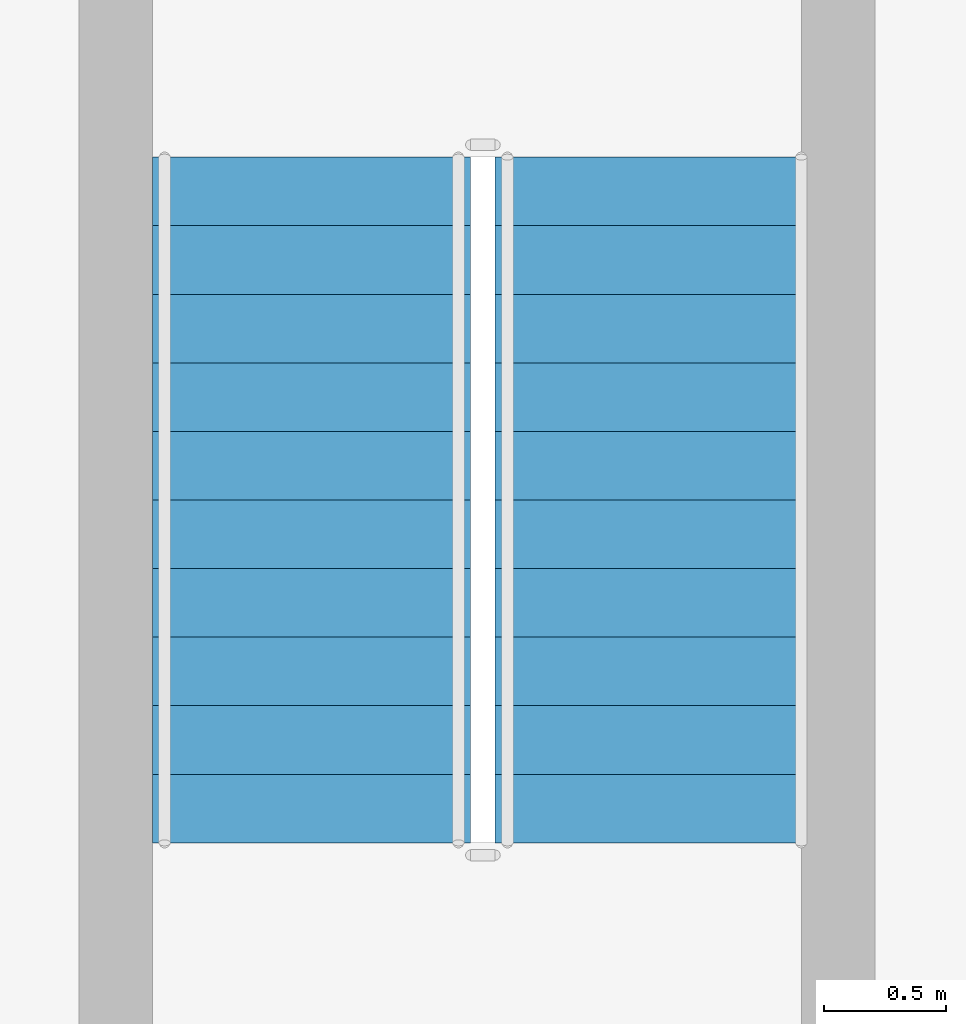
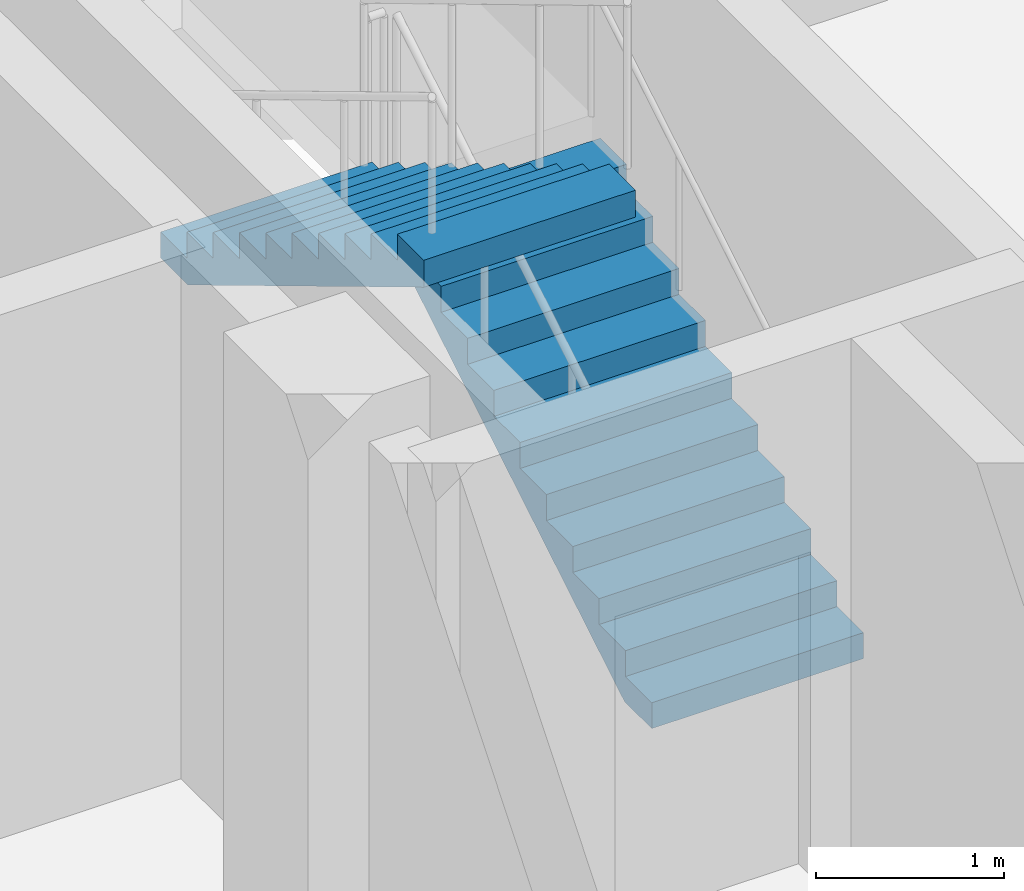
# One storey, part 16 of 24: 2 stair flights, 1 element without a shape of its own.
"""IFC4 building model written with IfcOpenShell, lengths in metres."""

from ifc_helpers import new_model, si_unit, direction, frame, origin, place, context, subcontext, project, spatial, triangles, source, transform, mapped, material, type_object, element, aggregate, save


model = new_model("IFC4")

# Units and contexts
model_context = context("Model", 3, precision=1e-05, world=origin(), true_north=direction((0.0, 1.0)))
body_context = subcontext(model_context, "Body", "Model", "MODEL_VIEW")
ifc_project = project(units=[si_unit("LENGTHUNIT", "METRE"), si_unit("AREAUNIT", "SQUARE_METRE"), si_unit("VOLUMEUNIT", "CUBIC_METRE"), si_unit("PLANEANGLEUNIT", "RADIAN"), si_unit("MASSUNIT", "GRAM", prefix="KILO")], contexts=[model_context])

# Site, building, storey
site_placement = place(None, origin())
site = spatial("IfcSite", under=ifc_project, at=site_placement, CompositionType="ELEMENT")
building_placement = place(site_placement, origin())
building = spatial("IfcBuilding", under=site, at=building_placement, Name="Ogive Portal Towers", CompositionType="ELEMENT")
storey_placement = place(building_placement, frame((0.0, 0.0, 153.300048828125)))
storey = spatial("IfcBuildingStorey", under=building, at=storey_placement, Name="L37", CompositionType="ELEMENT", Elevation=153.300048828125)

# Stair, stair flights
ifc_material = material(Name="Concrete C40/50", Category="concrete")
stair_type = type_object("IfcStairType", Name="INT-STAIR", PredefinedType="HALF_TURN_STAIR", material=ifc_material)
stair_placement = place(storey_placement, origin())
stair = element("IfcStair", 1, at=stair_placement, inside=storey, type_object=stair_type, Name="L37 Exit Stair ST-A3", PredefinedType="HALF_TURN_STAIR")
stair_flight_type = type_object("IfcStairFlightType", Name="INT-FLIGHT", PredefinedType="STRAIGHT", material=ifc_material)
shared_shape = source(origin(), body_context, "Body", "Tessellation", [
    triangles([(0.0, -0.650146484375, 0.0), (0.0, -0.376220703125, 0.0), (0.0, -0.192626953125, 0.0), (0.0, -0.081298828125, 0.0), (0.0, -0.024169921875, 0.0), (0.0, -0.003173828125, 0.0), (0.0, 0.0, 0.0), (0.0, 0.0029296875, 0.0), (0.0, 0.02392578125, 0.0), (0.0, 0.0810546875, 0.0), (0.0, 0.1923828125, 0.0), (0.0, 0.3759765625, 0.0), (0.0, 0.64990234375, 0.0), (0.0, -0.650146484375, 0.168212890625), (0.0, -0.376220703125, 0.168212890625), (0.0, -0.192626953125, 0.168212890625), (0.0, -0.081298828125, 0.168212890625), (0.0, -0.024169921875, 0.168212890625), (0.0, -0.003173828125, 0.168212890625), (0.0, 0.0, 0.168212890625), (0.0, 0.0029296875, 0.168212890625), (0.0, 0.02392578125, 0.168212890625), (0.0, 0.0810546875, 0.168212890625), (0.0, 0.1923828125, 0.168212890625), (0.0, 0.3759765625, 0.168212890625), (0.0, 0.64990234375, 0.168212890625), (0.280029296875, -0.650146484375, 0.168212890625), (0.280029296875, -0.376220703125, 0.168212890625), (0.280029296875, -0.192626953125, 0.168212890625), (0.280029296875, -0.081298828125, 0.168212890625), (0.280029296875, -0.024169921875, 0.168212890625), (0.280029296875, -0.003173828125, 0.168212890625), (0.280029296875, 0.0, 0.168212890625), (0.280029296875, 0.0029296875, 0.168212890625), (0.280029296875, 0.02392578125, 0.168212890625), (0.280029296875, 0.0810546875, 0.168212890625), (0.280029296875, 0.1923828125, 0.168212890625), (0.280029296875, 0.3759765625, 0.168212890625), (0.280029296875, 0.64990234375, 0.168212890625), (0.280029296875, -0.650146484375, 0.33642578125), (0.280029296875, -0.376220703125, 0.33642578125), (0.280029296875, -0.192626953125, 0.33642578125), (0.280029296875, -0.081298828125, 0.33642578125), (0.280029296875, -0.024169921875, 0.33642578125), (0.280029296875, -0.003173828125, 0.33642578125), (0.280029296875, 0.0, 0.33642578125), (0.280029296875, 0.0029296875, 0.33642578125), (0.280029296875, 0.02392578125, 0.33642578125), (0.280029296875, 0.0810546875, 0.33642578125), (0.280029296875, 0.1923828125, 0.33642578125), (0.280029296875, 0.3759765625, 0.33642578125), (0.280029296875, 0.64990234375, 0.33642578125), (0.56005859375, -0.650146484375, 0.33642578125), (0.56005859375, -0.376220703125, 0.33642578125), (0.56005859375, -0.192626953125, 0.33642578125), (0.56005859375, -0.081298828125, 0.33642578125), (0.56005859375, -0.024169921875, 0.33642578125), (0.56005859375, -0.003173828125, 0.33642578125), (0.56005859375, 0.0, 0.33642578125), (0.56005859375, 0.0029296875, 0.33642578125), (0.56005859375, 0.02392578125, 0.33642578125), (0.56005859375, 0.0810546875, 0.33642578125), (0.56005859375, 0.1923828125, 0.33642578125), (0.56005859375, 0.3759765625, 0.33642578125), (0.56005859375, 0.64990234375, 0.33642578125), (0.56005859375, -0.650146484375, 0.504638671875), (0.56005859375, -0.376220703125, 0.504638671875), (0.56005859375, -0.192626953125, 0.504638671875), (0.56005859375, -0.081298828125, 0.504638671875), (0.56005859375, -0.024169921875, 0.504638671875), (0.56005859375, -0.003173828125, 0.504638671875), (0.56005859375, 0.0, 0.504638671875), (0.56005859375, 0.0029296875, 0.504638671875), (0.56005859375, 0.02392578125, 0.504638671875), (0.56005859375, 0.0810546875, 0.504638671875), (0.56005859375, 0.1923828125, 0.504638671875), (0.56005859375, 0.3759765625, 0.504638671875), (0.56005859375, 0.64990234375, 0.504638671875), (0.840087890625, -0.650146484375, 0.504638671875), (0.840087890625, -0.376220703125, 0.504638671875), (0.840087890625, -0.192626953125, 0.504638671875), (0.840087890625, -0.081298828125, 0.504638671875), (0.840087890625, -0.024169921875, 0.504638671875), (0.840087890625, -0.003173828125, 0.504638671875), (0.840087890625, 0.0, 0.504638671875), (0.840087890625, 0.0029296875, 0.504638671875), (0.840087890625, 0.02392578125, 0.504638671875), (0.840087890625, 0.0810546875, 0.504638671875), (0.840087890625, 0.1923828125, 0.504638671875), (0.840087890625, 0.3759765625, 0.504638671875), (0.840087890625, 0.64990234375, 0.504638671875), (0.840087890625, -0.650146484375, 0.672607421875), (0.840087890625, -0.376220703125, 0.672607421875), (0.840087890625, -0.192626953125, 0.672607421875), (0.840087890625, -0.081298828125, 0.672607421875), (0.840087890625, -0.024169921875, 0.672607421875), (0.840087890625, -0.003173828125, 0.672607421875), (0.840087890625, 0.0, 0.672607421875), (0.840087890625, 0.0029296875, 0.672607421875), (0.840087890625, 0.02392578125, 0.672607421875), (0.840087890625, 0.0810546875, 0.672607421875), (0.840087890625, 0.1923828125, 0.672607421875), (0.840087890625, 0.3759765625, 0.672607421875), (0.840087890625, 0.64990234375, 0.672607421875), (1.1201171875, -0.650146484375, 0.672607421875), (1.1201171875, -0.376220703125, 0.672607421875), (1.1201171875, -0.192626953125, 0.672607421875), (1.1201171875, -0.081298828125, 0.672607421875), (1.1201171875, -0.024169921875, 0.672607421875), (1.1201171875, -0.003173828125, 0.672607421875), (1.1201171875, 0.0, 0.672607421875), (1.1201171875, 0.0029296875, 0.672607421875), (1.1201171875, 0.02392578125, 0.672607421875), (1.1201171875, 0.0810546875, 0.672607421875), (1.1201171875, 0.1923828125, 0.672607421875), (1.1201171875, 0.3759765625, 0.672607421875), (1.1201171875, 0.64990234375, 0.672607421875), (1.1201171875, -0.650146484375, 0.8408203125), (1.1201171875, -0.376220703125, 0.8408203125), (1.1201171875, -0.192626953125, 0.8408203125), (1.1201171875, -0.081298828125, 0.8408203125), (1.1201171875, -0.024169921875, 0.8408203125), (1.1201171875, -0.003173828125, 0.8408203125), (1.1201171875, 0.0, 0.8408203125), (1.1201171875, 0.0029296875, 0.8408203125), (1.1201171875, 0.02392578125, 0.8408203125), (1.1201171875, 0.0810546875, 0.8408203125), (1.1201171875, 0.1923828125, 0.8408203125), (1.1201171875, 0.3759765625, 0.8408203125), (1.1201171875, 0.64990234375, 0.8408203125), (1.39990234375, -0.650146484375, 0.8408203125), (1.39990234375, -0.376220703125, 0.8408203125), (1.39990234375, -0.192626953125, 0.8408203125), (1.39990234375, -0.081298828125, 0.8408203125), (1.39990234375, -0.024169921875, 0.8408203125), (1.39990234375, -0.003173828125, 0.8408203125), (1.39990234375, 0.0, 0.8408203125), (1.39990234375, 0.0029296875, 0.8408203125), (1.39990234375, 0.02392578125, 0.8408203125), (1.39990234375, 0.0810546875, 0.8408203125), (1.39990234375, 0.1923828125, 0.8408203125), (1.39990234375, 0.3759765625, 0.8408203125), (1.39990234375, 0.64990234375, 0.8408203125), (1.39990234375, -0.650146484375, 1.009033203125), (1.39990234375, -0.376220703125, 1.009033203125), (1.39990234375, -0.192626953125, 1.009033203125), (1.39990234375, -0.081298828125, 1.009033203125), (1.39990234375, -0.024169921875, 1.009033203125), (1.39990234375, -0.003173828125, 1.009033203125), (1.39990234375, 0.0, 1.009033203125), (1.39990234375, 0.0029296875, 1.009033203125), (1.39990234375, 0.02392578125, 1.009033203125), (1.39990234375, 0.0810546875, 1.009033203125), (1.39990234375, 0.1923828125, 1.009033203125), (1.39990234375, 0.3759765625, 1.009033203125), (1.39990234375, 0.64990234375, 1.009033203125), (1.679931640625, -0.650146484375, 1.009033203125), (1.679931640625, -0.376220703125, 1.009033203125), (1.679931640625, -0.192626953125, 1.009033203125), (1.679931640625, -0.081298828125, 1.009033203125), (1.679931640625, -0.024169921875, 1.009033203125), (1.679931640625, -0.003173828125, 1.009033203125), (1.679931640625, 0.0, 1.009033203125), (1.679931640625, 0.0029296875, 1.009033203125), (1.679931640625, 0.02392578125, 1.009033203125), (1.679931640625, 0.0810546875, 1.009033203125), (1.679931640625, 0.1923828125, 1.009033203125), (1.679931640625, 0.3759765625, 1.009033203125), (1.679931640625, 0.64990234375, 1.009033203125), (1.679931640625, -0.650146484375, 1.17724609375), (1.679931640625, -0.376220703125, 1.17724609375), (1.679931640625, -0.192626953125, 1.17724609375), (1.679931640625, -0.081298828125, 1.17724609375), (1.679931640625, -0.024169921875, 1.17724609375), (1.679931640625, -0.003173828125, 1.17724609375), (1.679931640625, 0.0, 1.17724609375), (1.679931640625, 0.0029296875, 1.17724609375), (1.679931640625, 0.02392578125, 1.17724609375), (1.679931640625, 0.0810546875, 1.17724609375), (1.679931640625, 0.1923828125, 1.17724609375), (1.679931640625, 0.3759765625, 1.17724609375), (1.679931640625, 0.64990234375, 1.17724609375), (1.9599609375, -0.650146484375, 1.17724609375), (1.9599609375, -0.376220703125, 1.17724609375), (1.9599609375, -0.192626953125, 1.17724609375), (1.9599609375, -0.081298828125, 1.17724609375), (1.9599609375, -0.024169921875, 1.17724609375), (1.9599609375, -0.003173828125, 1.17724609375), (1.9599609375, 0.0, 1.17724609375), (1.9599609375, 0.0029296875, 1.17724609375), (1.9599609375, 0.02392578125, 1.17724609375), (1.9599609375, 0.0810546875, 1.17724609375), (1.9599609375, 0.1923828125, 1.17724609375), (1.9599609375, 0.3759765625, 1.17724609375), (1.9599609375, 0.64990234375, 1.17724609375), (1.9599609375, -0.650146484375, 1.345458984375), (1.9599609375, -0.376220703125, 1.345458984375), (1.9599609375, -0.192626953125, 1.345458984375), (1.9599609375, -0.081298828125, 1.345458984375), (1.9599609375, -0.024169921875, 1.345458984375), (1.9599609375, -0.003173828125, 1.345458984375), (1.9599609375, 0.0, 1.345458984375), (1.9599609375, 0.0029296875, 1.345458984375), (1.9599609375, 0.02392578125, 1.345458984375), (1.9599609375, 0.0810546875, 1.345458984375), (1.9599609375, 0.1923828125, 1.345458984375), (1.9599609375, 0.3759765625, 1.345458984375), (1.9599609375, 0.64990234375, 1.345458984375), (2.239990234375, -0.650146484375, 1.345458984375), (2.239990234375, -0.376220703125, 1.345458984375), (2.239990234375, -0.192626953125, 1.345458984375), (2.239990234375, -0.081298828125, 1.345458984375), (2.239990234375, -0.024169921875, 1.345458984375), (2.239990234375, -0.003173828125, 1.345458984375), (2.239990234375, 0.0, 1.345458984375), (2.239990234375, 0.0029296875, 1.345458984375), (2.239990234375, 0.02392578125, 1.345458984375), (2.239990234375, 0.0810546875, 1.345458984375), (2.239990234375, 0.1923828125, 1.345458984375), (2.239990234375, 0.3759765625, 1.345458984375), (2.239990234375, 0.64990234375, 1.345458984375), (2.239990234375, -0.650146484375, 1.513671875), (2.239990234375, -0.376220703125, 1.513671875), (2.239990234375, -0.192626953125, 1.513671875), (2.239990234375, -0.081298828125, 1.513671875), (2.239990234375, -0.024169921875, 1.513671875), (2.239990234375, -0.003173828125, 1.513671875), (2.239990234375, 0.0, 1.513671875), (2.239990234375, 0.0029296875, 1.513671875), (2.239990234375, 0.02392578125, 1.513671875), (2.239990234375, 0.0810546875, 1.513671875), (2.239990234375, 0.1923828125, 1.513671875), (2.239990234375, 0.3759765625, 1.513671875), (2.239990234375, 0.64990234375, 1.513671875), (2.52001953125, -0.650146484375, 1.513671875), (2.52001953125, -0.376220703125, 1.513671875), (2.52001953125, -0.192626953125, 1.513671875), (2.52001953125, -0.081298828125, 1.513671875), (2.52001953125, -0.024169921875, 1.513671875), (2.52001953125, -0.003173828125, 1.513671875), (2.52001953125, 0.0, 1.513671875), (2.52001953125, 0.0029296875, 1.513671875), (2.52001953125, 0.02392578125, 1.513671875), (2.52001953125, 0.0810546875, 1.513671875), (2.52001953125, 0.1923828125, 1.513671875), (2.52001953125, 0.3759765625, 1.513671875), (2.52001953125, 0.64990234375, 1.513671875), (2.52001953125, -0.650146484375, 1.681884765625), (2.52001953125, -0.376220703125, 1.681884765625), (2.52001953125, -0.192626953125, 1.681884765625), (2.52001953125, -0.081298828125, 1.681884765625), (2.52001953125, -0.024169921875, 1.681884765625), (2.52001953125, -0.003173828125, 1.681884765625), (2.52001953125, 0.0, 1.681884765625), (2.52001953125, 0.0029296875, 1.681884765625), (2.52001953125, 0.02392578125, 1.681884765625), (2.52001953125, 0.0810546875, 1.681884765625), (2.52001953125, 0.1923828125, 1.681884765625), (2.52001953125, 0.3759765625, 1.681884765625), (2.52001953125, 0.64990234375, 1.681884765625), (2.800048828125, -0.650146484375, 1.681884765625), (2.800048828125, -0.376220703125, 1.681884765625), (2.800048828125, -0.192626953125, 1.681884765625), (2.800048828125, -0.081298828125, 1.681884765625), (2.800048828125, -0.024169921875, 1.681884765625), (2.800048828125, -0.003173828125, 1.681884765625), (2.800048828125, 0.0, 1.681884765625), (2.800048828125, 0.0029296875, 1.681884765625), (2.800048828125, 0.02392578125, 1.681884765625), (2.800048828125, 0.0810546875, 1.681884765625), (2.800048828125, 0.1923828125, 1.681884765625), (2.800048828125, 0.3759765625, 1.681884765625), (2.800048828125, 0.64990234375, 1.681884765625), (2.800048828125, -0.650146484375, 1.5068359375), (2.800048828125, -0.376220703125, 1.5068359375), (2.800048828125, -0.192626953125, 1.5068359375), (2.800048828125, -0.081298828125, 1.5068359375), (2.800048828125, -0.024169921875, 1.5068359375), (2.800048828125, -0.003173828125, 1.5068359375), (2.800048828125, 0.0, 1.5068359375), (2.800048828125, 0.0029296875, 1.5068359375), (2.800048828125, 0.02392578125, 1.5068359375), (2.800048828125, 0.0810546875, 1.5068359375), (2.800048828125, 0.1923828125, 1.5068359375), (2.800048828125, 0.3759765625, 1.5068359375), (2.800048828125, 0.64990234375, 1.5068359375), (0.291015625, -0.650146484375, 0.0), (0.291015625, -0.376220703125, 0.0), (0.291015625, -0.192626953125, 0.0), (0.291015625, -0.081298828125, 0.0), (0.291015625, -0.024169921875, 0.0), (0.291015625, -0.003173828125, 0.0), (0.291015625, 0.0, 0.0), (0.291015625, 0.0029296875, 0.0), (0.291015625, 0.02392578125, 0.0), (0.291015625, 0.0810546875, 0.0), (0.291015625, 0.1923828125, 0.0), (0.291015625, 0.3759765625, 0.0), (0.291015625, 0.64990234375, 0.0)], [[1, 14, 15], [1, 15, 2], [2, 15, 16], [2, 16, 3], [3, 16, 17], [3, 17, 4], [4, 17, 18], [4, 18, 5], [5, 18, 19], [5, 19, 6], [6, 19, 20], [6, 20, 7], [7, 20, 21], [7, 21, 8], [8, 21, 22], [8, 22, 9], [9, 22, 23], [9, 23, 10], [10, 23, 24], [10, 24, 11], [11, 24, 25], [11, 25, 12], [12, 25, 26], [12, 26, 13], [14, 27, 28], [14, 28, 15], [15, 28, 29], [15, 29, 16], [16, 29, 30], [16, 30, 17], [17, 30, 31], [17, 31, 18], [18, 31, 32], [18, 32, 19], [19, 32, 33], [19, 33, 20], [20, 33, 34], [20, 34, 21], [21, 34, 35], [21, 35, 22], [22, 35, 36], [22, 36, 23], [23, 36, 37], [23, 37, 24], [24, 37, 38], [24, 38, 25], [25, 38, 39], [25, 39, 26], [27, 40, 41], [27, 41, 28], [28, 41, 42], [28, 42, 29], [29, 42, 43], [29, 43, 30], [30, 43, 44], [30, 44, 31], [31, 44, 45], [31, 45, 32], [32, 45, 46], [32, 46, 33], [33, 46, 47], [33, 47, 34], [34, 47, 48], [34, 48, 35], [35, 48, 49], [35, 49, 36], [36, 49, 50], [36, 50, 37], [37, 50, 51], [37, 51, 38], [38, 51, 52], [38, 52, 39], [40, 53, 54], [40, 54, 41], [41, 54, 55], [41, 55, 42], [42, 55, 56], [42, 56, 43], [43, 56, 57], [43, 57, 44], [44, 57, 58], [44, 58, 45], [45, 58, 59], [45, 59, 46], [46, 59, 60], [46, 60, 47], [47, 60, 61], [47, 61, 48], [48, 61, 62], [48, 62, 49], [49, 62, 63], [49, 63, 50], [50, 63, 64], [50, 64, 51], [51, 64, 65], [51, 65, 52], [53, 66, 67], [53, 67, 54], [54, 67, 68], [54, 68, 55], [55, 68, 69], [55, 69, 56], [56, 69, 70], [56, 70, 57], [57, 70, 71], [57, 71, 58], [58, 71, 72], [58, 72, 59], [59, 72, 73], [59, 73, 60], [60, 73, 74], [60, 74, 61], [61, 74, 75], [61, 75, 62], [62, 75, 76], [62, 76, 63], [63, 76, 77], [63, 77, 64], [64, 77, 78], [64, 78, 65], [66, 79, 80], [66, 80, 67], [67, 80, 81], [67, 81, 68], [68, 81, 82], [68, 82, 69], [69, 82, 83], [69, 83, 70], [70, 83, 84], [70, 84, 71], [71, 84, 85], [71, 85, 72], [72, 85, 86], [72, 86, 73], [73, 86, 87], [73, 87, 74], [74, 87, 88], [74, 88, 75], [75, 88, 89], [75, 89, 76], [76, 89, 90], [76, 90, 77], [77, 90, 91], [77, 91, 78], [79, 92, 93], [79, 93, 80], [80, 93, 94], [80, 94, 81], [81, 94, 95], [81, 95, 82], [82, 95, 96], [82, 96, 83], [83, 96, 97], [83, 97, 84], [84, 97, 98], [84, 98, 85], [85, 98, 99], [85, 99, 86], [86, 99, 100], [86, 100, 87], [87, 100, 101], [87, 101, 88], [88, 101, 102], [88, 102, 89], [89, 102, 103], [89, 103, 90], [90, 103, 104], [90, 104, 91], [92, 105, 106], [92, 106, 93], [93, 106, 107], [93, 107, 94], [94, 107, 108], [94, 108, 95], [95, 108, 109], [95, 109, 96], [96, 109, 110], [96, 110, 97], [97, 110, 111], [97, 111, 98], [98, 111, 112], [98, 112, 99], [99, 112, 113], [99, 113, 100], [100, 113, 114], [100, 114, 101], [101, 114, 115], [101, 115, 102], [102, 115, 116], [102, 116, 103], [103, 116, 117], [103, 117, 104], [105, 118, 119], [105, 119, 106], [106, 119, 120], [106, 120, 107], [107, 120, 121], [107, 121, 108], [108, 121, 122], [108, 122, 109], [109, 122, 123], [109, 123, 110], [110, 123, 124], [110, 124, 111], [111, 124, 125], [111, 125, 112], [112, 125, 126], [112, 126, 113], [113, 126, 127], [113, 127, 114], [114, 127, 128], [114, 128, 115], [115, 128, 129], [115, 129, 116], [116, 129, 130], [116, 130, 117], [118, 131, 132], [118, 132, 119], [119, 132, 133], [119, 133, 120], [120, 133, 134], [120, 134, 121], [121, 134, 135], [121, 135, 122], [122, 135, 136], [122, 136, 123], [123, 136, 137], [123, 137, 124], [124, 137, 138], [124, 138, 125], [125, 138, 139], [125, 139, 126], [126, 139, 140], [126, 140, 127], [127, 140, 141], [127, 141, 128], [128, 141, 142], [128, 142, 129], [129, 142, 143], [129, 143, 130], [131, 144, 145], [131, 145, 132], [132, 145, 146], [132, 146, 133], [133, 146, 147], [133, 147, 134], [134, 147, 148], [134, 148, 135], [135, 148, 149], [135, 149, 136], [136, 149, 150], [136, 150, 137], [137, 150, 151], [137, 151, 138], [138, 151, 152], [138, 152, 139], [139, 152, 153], [139, 153, 140], [140, 153, 154], [140, 154, 141], [141, 154, 155], [141, 155, 142], [142, 155, 156], [142, 156, 143], [144, 157, 158], [144, 158, 145], [145, 158, 159], [145, 159, 146], [146, 159, 160], [146, 160, 147], [147, 160, 161], [147, 161, 148], [148, 161, 162], [148, 162, 149], [149, 162, 163], [149, 163, 150], [150, 163, 164], [150, 164, 151], [151, 164, 165], [151, 165, 152], [152, 165, 166], [152, 166, 153], [153, 166, 167], [153, 167, 154], [154, 167, 168], [154, 168, 155], [155, 168, 169], [155, 169, 156], [157, 170, 171], [157, 171, 158], [158, 171, 172], [158, 172, 159], [159, 172, 173], [159, 173, 160], [160, 173, 174], [160, 174, 161], [161, 174, 175], [161, 175, 162], [162, 175, 176], [162, 176, 163], [163, 176, 177], [163, 177, 164], [164, 177, 178], [164, 178, 165], [165, 178, 179], [165, 179, 166], [166, 179, 180], [166, 180, 167], [167, 180, 181], [167, 181, 168], [168, 181, 182], [168, 182, 169], [170, 183, 184], [170, 184, 171], [171, 184, 185], [171, 185, 172], [172, 185, 186], [172, 186, 173], [173, 186, 187], [173, 187, 174], [174, 187, 188], [174, 188, 175], [175, 188, 189], [175, 189, 176], [176, 189, 190], [176, 190, 177], [177, 190, 191], [177, 191, 178], [178, 191, 192], [178, 192, 179], [179, 192, 193], [179, 193, 180], [180, 193, 194], [180, 194, 181], [181, 194, 195], [181, 195, 182], [183, 196, 197], [183, 197, 184], [184, 197, 198], [184, 198, 185], [185, 198, 199], [185, 199, 186], [186, 199, 200], [186, 200, 187], [187, 200, 201], [187, 201, 188], [188, 201, 202], [188, 202, 189], [189, 202, 203], [189, 203, 190], [190, 203, 204], [190, 204, 191], [191, 204, 205], [191, 205, 192], [192, 205, 206], [192, 206, 193], [193, 206, 207], [193, 207, 194], [194, 207, 208], [194, 208, 195], [196, 209, 210], [196, 210, 197], [197, 210, 211], [197, 211, 198], [198, 211, 212], [198, 212, 199], [199, 212, 213], [199, 213, 200], [200, 213, 214], [200, 214, 201], [201, 214, 215], [201, 215, 202], [202, 215, 216], [202, 216, 203], [203, 216, 217], [203, 217, 204], [204, 217, 218], [204, 218, 205], [205, 218, 219], [205, 219, 206], [206, 219, 220], [206, 220, 207], [207, 220, 221], [207, 221, 208], [209, 222, 223], [209, 223, 210], [210, 223, 224], [210, 224, 211], [211, 224, 225], [211, 225, 212], [212, 225, 226], [212, 226, 213], [213, 226, 227], [213, 227, 214], [214, 227, 228], [214, 228, 215], [215, 228, 229], [215, 229, 216], [216, 229, 230], [216, 230, 217], [217, 230, 231], [217, 231, 218], [218, 231, 232], [218, 232, 219], [219, 232, 233], [219, 233, 220], [220, 233, 234], [220, 234, 221], [222, 235, 236], [222, 236, 223], [223, 236, 237], [223, 237, 224], [224, 237, 238], [224, 238, 225], [225, 238, 239], [225, 239, 226], [226, 239, 240], [226, 240, 227], [227, 240, 241], [227, 241, 228], [228, 241, 242], [228, 242, 229], [229, 242, 243], [229, 243, 230], [230, 243, 244], [230, 244, 231], [231, 244, 245], [231, 245, 232], [232, 245, 246], [232, 246, 233], [233, 246, 247], [233, 247, 234], [235, 248, 249], [235, 249, 236], [236, 249, 250], [236, 250, 237], [237, 250, 251], [237, 251, 238], [238, 251, 252], [238, 252, 239], [239, 252, 253], [239, 253, 240], [240, 253, 254], [240, 254, 241], [241, 254, 255], [241, 255, 242], [242, 255, 256], [242, 256, 243], [243, 256, 257], [243, 257, 244], [244, 257, 258], [244, 258, 245], [245, 258, 259], [245, 259, 246], [246, 259, 260], [246, 260, 247], [248, 261, 262], [248, 262, 249], [249, 262, 263], [249, 263, 250], [250, 263, 264], [250, 264, 251], [251, 264, 265], [251, 265, 252], [252, 265, 266], [252, 266, 253], [253, 266, 267], [253, 267, 254], [254, 267, 268], [254, 268, 255], [255, 268, 269], [255, 269, 256], [256, 269, 270], [256, 270, 257], [257, 270, 271], [257, 271, 258], [258, 271, 272], [258, 272, 259], [259, 272, 273], [259, 273, 260], [261, 274, 275], [261, 275, 262], [262, 275, 276], [262, 276, 263], [263, 276, 277], [263, 277, 264], [264, 277, 278], [264, 278, 265], [265, 278, 279], [265, 279, 266], [266, 279, 280], [266, 280, 267], [267, 280, 281], [267, 281, 268], [268, 281, 282], [268, 282, 269], [269, 282, 283], [269, 283, 270], [270, 283, 284], [270, 284, 271], [271, 284, 285], [271, 285, 272], [272, 285, 286], [272, 286, 273], [274, 287, 288], [274, 288, 275], [275, 288, 289], [275, 289, 276], [276, 289, 290], [276, 290, 277], [277, 290, 291], [277, 291, 278], [278, 291, 292], [278, 292, 279], [279, 292, 293], [279, 293, 280], [280, 293, 294], [280, 294, 281], [281, 294, 295], [281, 295, 282], [282, 295, 296], [282, 296, 283], [283, 296, 297], [283, 297, 284], [284, 297, 298], [284, 298, 285], [285, 298, 299], [285, 299, 286], [287, 1, 2], [287, 2, 288], [288, 2, 3], [288, 3, 289], [289, 3, 4], [289, 4, 290], [290, 4, 5], [290, 5, 291], [291, 5, 6], [291, 6, 292], [292, 6, 7], [292, 7, 293], [293, 7, 8], [293, 8, 294], [294, 8, 9], [294, 9, 295], [295, 9, 10], [295, 10, 296], [296, 10, 11], [296, 11, 297], [297, 11, 12], [297, 12, 298], [298, 12, 13], [298, 13, 299], [1, 287, 274], [13, 286, 299], [274, 261, 248], [286, 260, 273], [274, 248, 235], [286, 247, 260], [274, 235, 222], [286, 234, 247], [274, 222, 209], [286, 221, 234], [209, 196, 183], [221, 195, 208], [274, 209, 183], [286, 195, 221], [183, 170, 157], [195, 169, 182], [274, 183, 157], [286, 169, 195], [157, 144, 131], [169, 143, 156], [274, 157, 131], [286, 143, 169], [131, 118, 105], [143, 117, 130], [274, 131, 105], [286, 117, 143], [1, 274, 105], [13, 117, 286], [105, 92, 79], [117, 91, 104], [79, 66, 53], [91, 65, 78], [105, 79, 53], [117, 65, 91], [53, 40, 27], [65, 39, 52], [105, 53, 27], [117, 39, 65], [1, 105, 27], [13, 39, 117], [27, 14, 1], [39, 13, 26]], closed=True),
])
stair_flight_1_placement = place(storey_placement, frame((43.550048828125, 67.199951171875, 0.0), z_axis=(0.0, 0.0, 1.0), x_axis=(0.0, 1.0, 0.0)))
stair_flight_1 = element("IfcStairFlight", 2, at=stair_flight_1_placement, type_object=stair_flight_type, Name="ST-A3 flight 1", NumberOfRisers=11, NumberOfTreads=10, PredefinedType="STRAIGHT", RiserHeight=0.168181818, TreadLength=0.28, context=body_context, shape_type="MappedRepresentation", body=[
    mapped(shared_shape, transform((0.0, 0.0, 0.0), scale=1.0)),
])
stair_flight_2_placement = place(storey_placement, frame((42.14990234375, 70.0, 1.849853515625), z_axis=(0.0, 0.0, 1.0), x_axis=(0.0, -1.0, 0.0)))
stair_flight_2 = element("IfcStairFlight", 3, at=stair_flight_2_placement, type_object=stair_flight_type, Name="ST-A3 flight 2", NumberOfRisers=11, NumberOfTreads=10, PredefinedType="STRAIGHT", RiserHeight=0.168181818, TreadLength=0.28, context=body_context, shape_type="MappedRepresentation", body=[
    mapped(shared_shape, transform((0.0, 0.0, 0.0), scale=1.0)),
])
aggregate(stair, [stair_flight_1, stair_flight_2])

save(model, "model.ifc")
